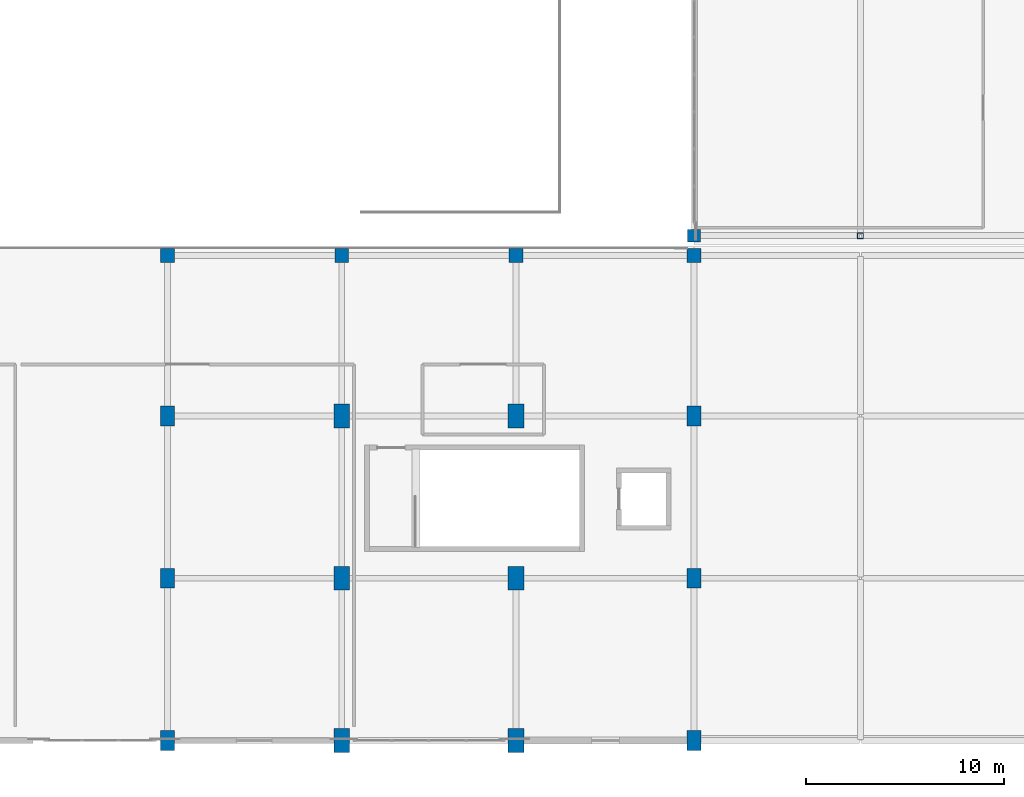
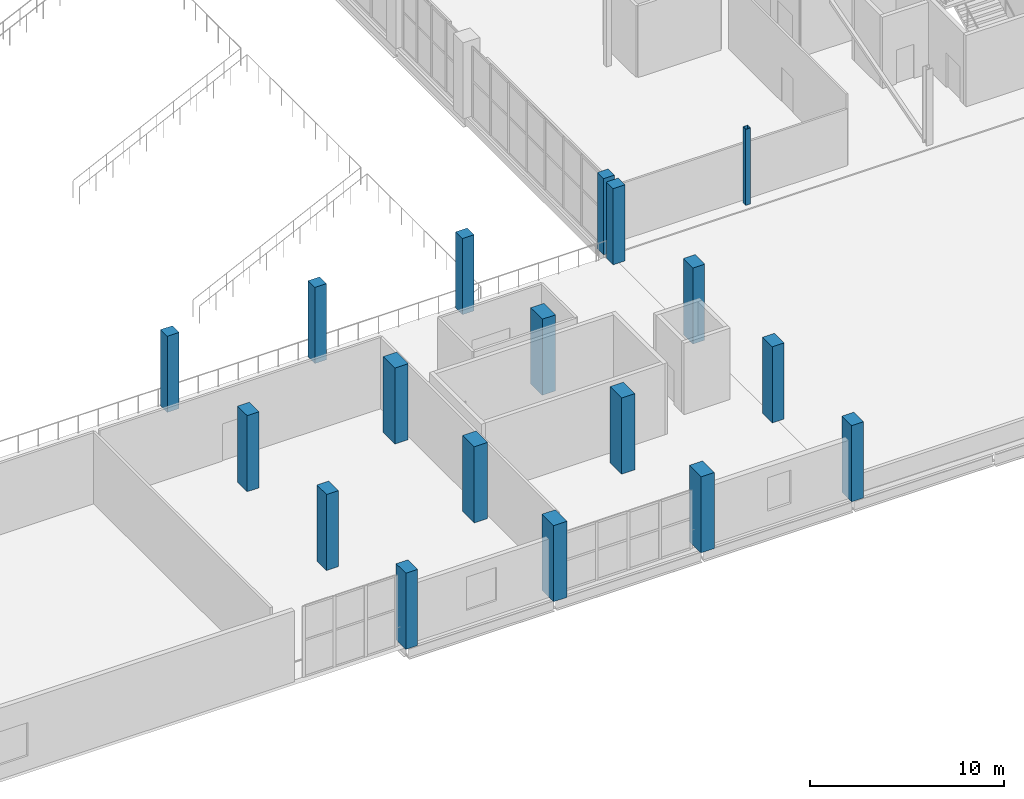
# One storey, part 6 of 104: 18 columns.
"""IFC4 building model written with IfcOpenShell, lengths in metres."""

from ifc_helpers import new_model, si_unit, direction, frame, origin, origin_2d, place, context, subcontext, project, spatial, rectangle, hollow_rectangle, extrude, material, material_profile, profile_set, type_object, element, save


model = new_model("IFC4")

# Units and contexts
model_context = context("Model", 3, precision=1e-05, world=origin(), true_north=direction((0.0, 1.0)))
body_context = subcontext(model_context, "Body", "Model", "MODEL_VIEW")
ifc_project = project(units=[si_unit("LENGTHUNIT", "METRE"), si_unit("AREAUNIT", "SQUARE_METRE"), si_unit("VOLUMEUNIT", "CUBIC_METRE"), si_unit("PLANEANGLEUNIT", "RADIAN"), si_unit("MASSUNIT", "GRAM", prefix="KILO")], contexts=[model_context])

# Site, building, storey
site_placement = place(None, origin())
site = spatial("IfcSite", under=ifc_project, at=site_placement, CompositionType="ELEMENT")
building_placement = place(site_placement, origin())
building = spatial("IfcBuilding", under=site, at=building_placement, Name="Koshinbarg Plaza Stadium", CompositionType="ELEMENT")
storey_placement = place(building_placement, frame((0.0, 0.0, 19.800048828125)))
storey = spatial("IfcBuildingStorey", under=building, at=storey_placement, Name="L04", CompositionType="ELEMENT", Elevation=19.800048828125)

# Columns
ifc_material_1 = material(Name="Concrete C40/50", Category="concrete")
ifc_material_profile_1 = material_profile(ifc_material_1, rectangle(XDim=0.64990234375, YDim=0.64990234375, at=origin_2d()), Name="RC 650x650")
ifc_profile_set_1 = profile_set([ifc_material_profile_1], Name="Concrete C40/50")
column_type_1 = type_object("IfcColumnType", Name="COL-RC-05", PredefinedType="COLUMN", material=ifc_profile_set_1)
column_1_placement = place(storey_placement, frame((189.39990234375, 25.5, 0.0), z_axis=(0.0, 0.0, 1.0), x_axis=(1.0, 0.0, 0.0)))
element("IfcColumn", 1, at=column_1_placement, inside=storey, type_object=column_type_1, Name="L04 column 18/E", PredefinedType="COLUMN", context=body_context, shape_type="SweptSolid", body=[
    extrude(rectangle(XDim=0.64990234375, YDim=0.64990234375, at=origin_2d()), origin(), (0.0, 0.0, 1.0), 4.800048828125),
])
ifc_material_profile_2 = material_profile(ifc_material_1, rectangle(XDim=0.699951171875, YDim=0.699951171875, at=origin_2d()), Name="RC 700x700")
ifc_profile_set_2 = profile_set([ifc_material_profile_2], Name="Concrete C40/50")
column_type_2 = type_object("IfcColumnType", Name="COL-RC-06", PredefinedType="COLUMN", material=ifc_profile_set_2)
for number, where, z_axis, x_axis, name in (
    (2, (162.800048828125, 24.5, 0.0), (0.0, 0.0, 1.0), (1.0, 0.0, 0.0), "L04 column 15/D"),
    (3, (171.60009765625, 24.5, 0.0), (0.0, 0.0, 1.0), (1.0, 0.0, 0.0), "L04 column 16/D"),
    (4, (180.39990234375, 24.5, 0.0), (0.0, 0.0, 1.0), (1.0, 0.0, 0.0), "L04 column 17/D"),
    (5, (189.39990234375, 24.5, 0.0), (0.0, 0.0, 1.0), (1.0, 0.0, 0.0), "L04 column 18/D"),
):
    element("IfcColumn", number, at=place(storey_placement, frame(where, z_axis=z_axis, x_axis=x_axis)), inside=storey, type_object=column_type_2, Name=name, PredefinedType="COLUMN", context=body_context, shape_type="SweptSolid", body=[
        extrude(rectangle(XDim=0.699951171875, YDim=0.699951171875, at=origin_2d()), origin(), (0.0, 0.0, 1.0), 4.800048828125),
    ])
ifc_material_profile_3 = material_profile(ifc_material_1, rectangle(XDim=0.699951171875, YDim=1.0, at=origin_2d()), Name="RC 700x1000")
ifc_profile_set_3 = profile_set([ifc_material_profile_3], Name="Concrete C40/50")
column_type_3 = type_object("IfcColumnType", Name="COL-RC-13", PredefinedType="COLUMN", material=ifc_profile_set_3)
for number, where, z_axis, x_axis, name in (
    (6, (162.800048828125, 0.0, 0.0), (0.0, 0.0, 1.0), (1.0, 0.0, 0.0), "L04 column 15/A"),
    (7, (162.800048828125, 8.199951171875, 0.0), (0.0, 0.0, 1.0), (1.0, 0.0, 0.0), "L04 column 15/B"),
    (8, (162.800048828125, 16.39990234375, 0.0), (0.0, 0.0, 1.0), (1.0, 0.0, 0.0), "L04 column 15/C"),
    (9, (189.39990234375, 0.0, 0.0), (0.0, 0.0, 1.0), (1.0, 0.0, 0.0), "L04 column 18/A"),
    (10, (189.39990234375, 8.199951171875, 0.0), (0.0, 0.0, 1.0), (1.0, 0.0, 0.0), "L04 column 18/B"),
    (11, (189.39990234375, 16.39990234375, 0.0), (0.0, 0.0, 1.0), (1.0, 0.0, 0.0), "L04 column 18/C"),
):
    element("IfcColumn", number, at=place(storey_placement, frame(where, z_axis=z_axis, x_axis=x_axis)), inside=storey, type_object=column_type_3, Name=name, PredefinedType="COLUMN", context=body_context, shape_type="SweptSolid", body=[
        extrude(rectangle(XDim=0.699951171875, YDim=1.0, at=origin_2d()), origin(), (0.0, 0.0, 1.0), 4.800048828125),
    ])
ifc_material_profile_4 = material_profile(ifc_material_1, rectangle(XDim=0.800048828125, YDim=1.199951171875, at=origin_2d()), Name="RC 800x1200")
ifc_profile_set_4 = profile_set([ifc_material_profile_4], Name="Concrete C40/50")
column_type_4 = type_object("IfcColumnType", Name="COL-RC-14", PredefinedType="COLUMN", material=ifc_profile_set_4)
for number, where, z_axis, x_axis, name in (
    (12, (171.60009765625, 0.0, 0.0), (0.0, 0.0, 1.0), (1.0, 0.0, 0.0), "L04 column 16/A"),
    (13, (171.60009765625, 8.199951171875, 0.0), (0.0, 0.0, 1.0), (1.0, 0.0, 0.0), "L04 column 16/B"),
    (14, (171.60009765625, 16.39990234375, 0.0), (0.0, 0.0, 1.0), (1.0, 0.0, 0.0), "L04 column 16/C"),
    (15, (180.39990234375, 0.0, 0.0), (0.0, 0.0, 1.0), (1.0, 0.0, 0.0), "L04 column 17/A"),
    (16, (180.39990234375, 8.199951171875, 0.0), (0.0, 0.0, 1.0), (1.0, 0.0, 0.0), "L04 column 17/B"),
    (17, (180.39990234375, 16.39990234375, 0.0), (0.0, 0.0, 1.0), (1.0, 0.0, 0.0), "L04 column 17/C"),
):
    element("IfcColumn", number, at=place(storey_placement, frame(where, z_axis=z_axis, x_axis=x_axis)), inside=storey, type_object=column_type_4, Name=name, PredefinedType="COLUMN", context=body_context, shape_type="SweptSolid", body=[
        extrude(rectangle(XDim=0.800048828125, YDim=1.199951171875, at=origin_2d()), origin(), (0.0, 0.0, 1.0), 4.800048828125),
    ])
ifc_material_2 = material(Name="Steel S355", Category="steel")
ifc_material_profile_5 = material_profile(ifc_material_2, hollow_rectangle(XDim=0.300048828125, YDim=0.300048828125, WallThickness=0.01611328125, at=origin_2d()), Name="SHS 300x300x16")
ifc_profile_set_5 = profile_set([ifc_material_profile_5], Name="Steel S355")
column_type_5 = type_object("IfcColumnType", Name="COL-STL-06", PredefinedType="COLUMN", material=ifc_profile_set_5)
column_2_placement = place(storey_placement, frame((197.800048828125, 25.5, 0.0), z_axis=(0.0, 0.0, 1.0), x_axis=(1.0, 0.0, 0.0)))
element("IfcColumn", 18, at=column_2_placement, inside=storey, type_object=column_type_5, Name="L04 column 19/E", PredefinedType="COLUMN", context=body_context, shape_type="SweptSolid", body=[
    extrude(hollow_rectangle(XDim=0.300048828125, YDim=0.300048828125, WallThickness=0.01611328125, at=origin_2d()), origin(), (0.0, 0.0, 1.0), 4.800048828125),
])

save(model, "model.ifc")
